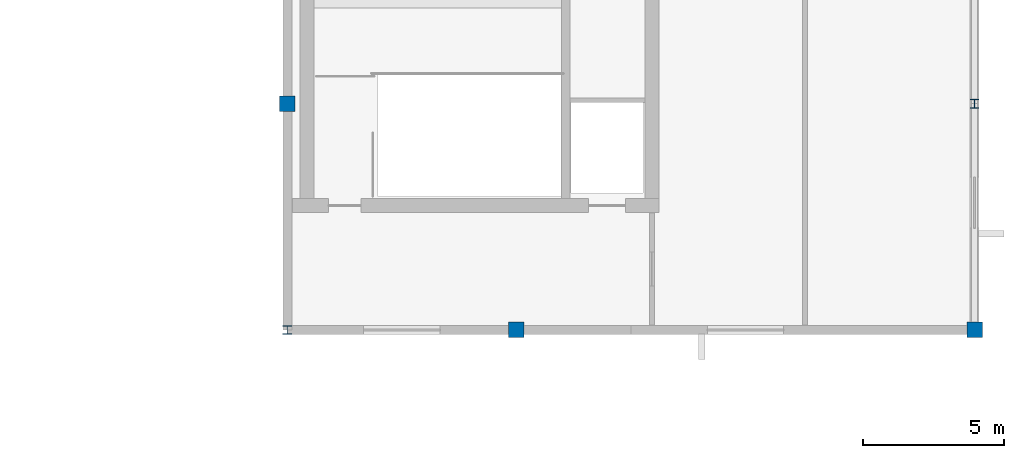
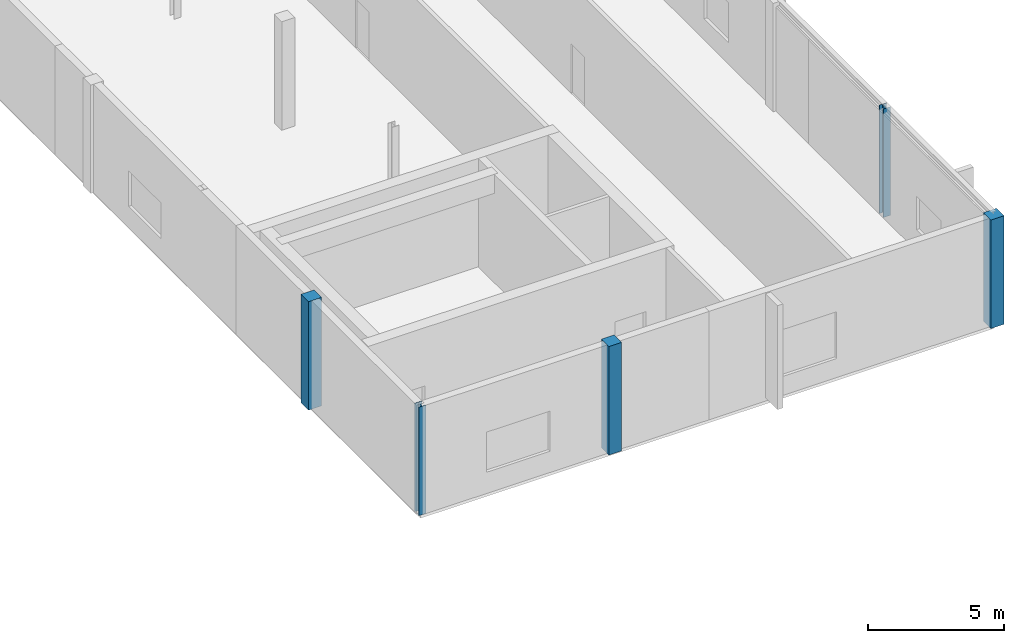
# One storey, part 4 of 70: 5 columns.
"""IFC4 building model written with IfcOpenShell, lengths in metres."""

from ifc_helpers import new_model, si_unit, direction, frame, origin, origin_2d, place, context, subcontext, project, spatial, rectangle, i_section, extrude, material, material_profile, profile_set, type_object, element, save


model = new_model("IFC4")

# Units and contexts
model_context = context("Model", 3, precision=1e-05, world=origin(), true_north=direction((0.0, 1.0)))
body_context = subcontext(model_context, "Body", "Model", "MODEL_VIEW")
ifc_project = project(units=[si_unit("LENGTHUNIT", "METRE"), si_unit("AREAUNIT", "SQUARE_METRE"), si_unit("VOLUMEUNIT", "CUBIC_METRE"), si_unit("PLANEANGLEUNIT", "RADIAN"), si_unit("MASSUNIT", "GRAM", prefix="KILO")], contexts=[model_context])

# Site, building, storey
site_placement = place(None, origin())
site = spatial("IfcSite", under=ifc_project, at=site_placement, CompositionType="ELEMENT")
building_placement = place(site_placement, origin())
building = spatial("IfcBuilding", under=site, at=building_placement, Name="Tarnveldt Square Police Headquarters", CompositionType="ELEMENT")
storey_placement = place(building_placement, frame((0.0, 0.0, 19.800048828125)))
storey = spatial("IfcBuildingStorey", under=building, at=storey_placement, Name="L04", CompositionType="ELEMENT", Elevation=19.800048828125)

# Columns
ifc_material_1 = material(Name="Concrete 40 MPa", Category="concrete")
ifc_material_profile_1 = material_profile(ifc_material_1, rectangle(XDim=0.550048828125, YDim=0.550048828125, at=origin_2d()), Name="RC-C550x550")
ifc_profile_set_1 = profile_set([ifc_material_profile_1], Name="Concrete 40 MPa")
column_type_1 = type_object("IfcColumnType", Name="COL-RC550", PredefinedType="COLUMN", material=ifc_profile_set_1)
for number, where, z_axis, x_axis, name in (
    (1, (105.300048828125, 64.0, 0.0), (0.0, 0.0, 1.0), (1.0, 0.0, 0.0), "L04 Column 146"),
    (2, (113.39990234375, 56.0, 0.0), (0.0, 0.0, 1.0), (1.0, 0.0, 0.0), "L04 Column 156"),
    (3, (129.60009765625, 56.0, 0.0), (0.0, 0.0, 1.0), (1.0, 0.0, 0.0), "L04 Column 172"),
):
    element("IfcColumn", number, at=place(storey_placement, frame(where, z_axis=z_axis, x_axis=x_axis)), inside=storey, type_object=column_type_1, Name=name, PredefinedType="COLUMN", context=body_context, shape_type="SweptSolid", body=[
        extrude(rectangle(XDim=0.550048828125, YDim=0.550048828125, at=origin_2d()), origin(), (0.0, 0.0, 1.0), 4.85986328125),
    ])
ifc_material_2 = material(Name="Steel 350W", Category="steel")
ifc_material_profile_2 = material_profile(ifc_material_2, i_section(OverallWidth=0.304931640625, OverallDepth=0.30810546875, WebThickness=0.010009765625, FlangeThickness=0.015380859375, FilletRadius=0.014892578125, at=origin_2d()), Name="W310x97")
ifc_profile_set_2 = profile_set([ifc_material_profile_2], Name="Steel 350W")
column_type_2 = type_object("IfcColumnType", Name="COL-W310x97", PredefinedType="COLUMN", material=ifc_profile_set_2)
for number, where, z_axis, x_axis, name in (
    (4, (105.300048828125, 56.0, 0.0), (0.0, 0.0, 1.0), (1.0, 0.0, 0.0), "L04 Column 145"),
    (5, (129.60009765625, 64.0, 0.0), (0.0, 0.0, 1.0), (1.0, 0.0, 0.0), "L04 Column 173"),
):
    element("IfcColumn", number, at=place(storey_placement, frame(where, z_axis=z_axis, x_axis=x_axis)), inside=storey, type_object=column_type_2, Name=name, PredefinedType="COLUMN", context=body_context, shape_type="SweptSolid", body=[
        extrude(i_section(OverallWidth=0.304931640625, OverallDepth=0.30810546875, WebThickness=0.010009765625, FlangeThickness=0.015380859375, FilletRadius=0.014892578125, at=origin_2d()), origin(), (0.0, 0.0, 1.0), 4.85986328125),
    ])

save(model, "model.ifc")
